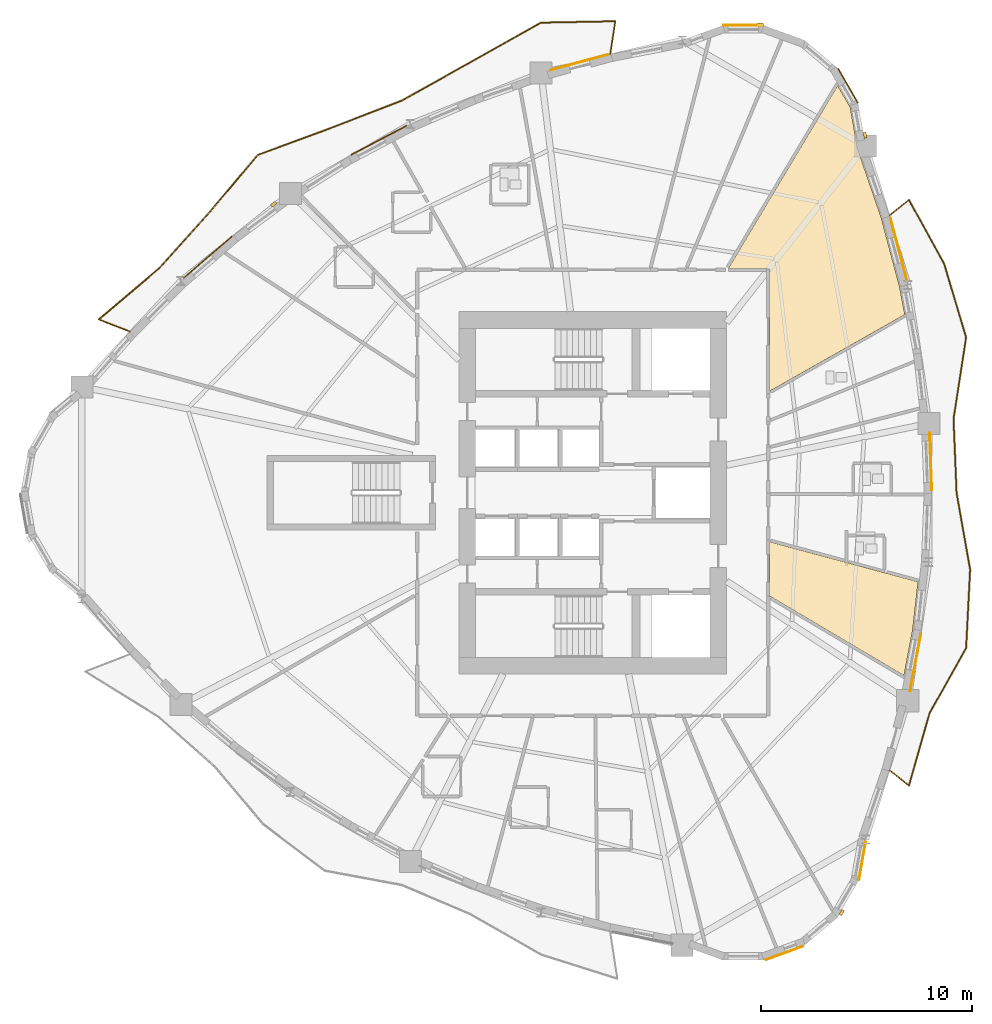
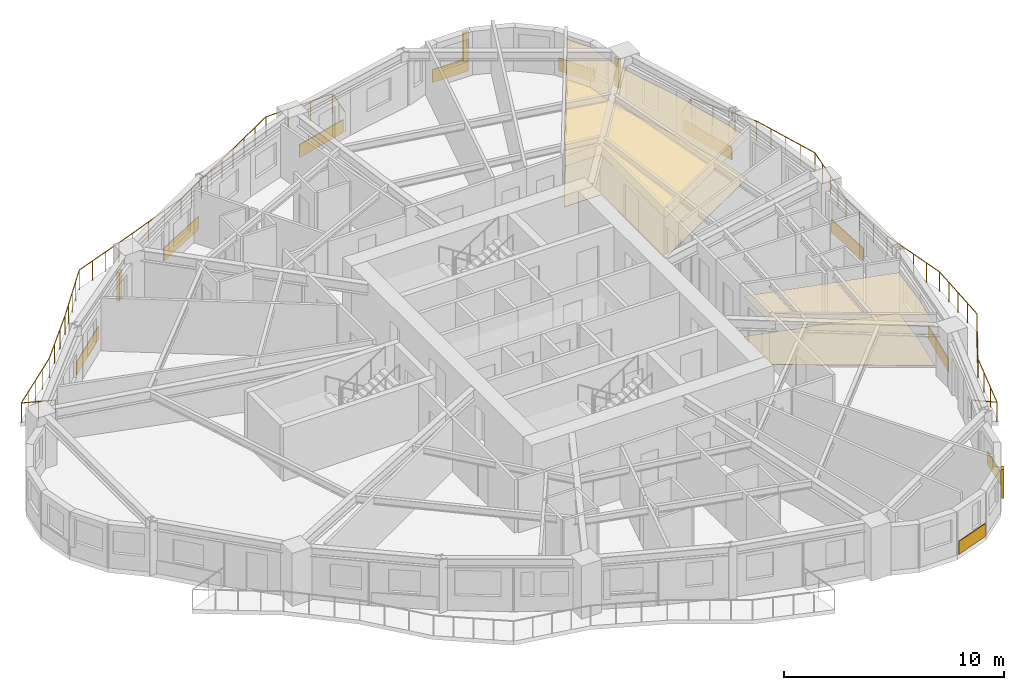
# One storey, part 12 of 13: 14 coverings, 4 shading devices, 2 railings.
"""IFC4 building model written with IfcOpenShell, lengths in metres."""

from ifc_helpers import new_model, si_unit, direction, frame, origin, origin_2d, place, context, subcontext, project, spatial, polyline, rectangle, circle, outline, extrude, source, transform, mapped, material, layer, layer_set, type_object, element, save


model = new_model("IFC4")

# Units and contexts
model_context = context("Model", 3, precision=1e-05, world=origin(), true_north=direction((0.0, 1.0)))
body_context = subcontext(model_context, "Body", "Model", "MODEL_VIEW")
ifc_project = project(units=[si_unit("LENGTHUNIT", "METRE"), si_unit("AREAUNIT", "SQUARE_METRE"), si_unit("VOLUMEUNIT", "CUBIC_METRE"), si_unit("PLANEANGLEUNIT", "RADIAN"), si_unit("MASSUNIT", "GRAM", prefix="KILO")], contexts=[model_context])

# Site, building, storey
site_placement = place(None, origin())
site = spatial("IfcSite", under=ifc_project, at=site_placement, CompositionType="ELEMENT")
building_placement = place(site_placement, origin())
building = spatial("IfcBuilding", under=site, at=building_placement, Name="Qafzar Sky-Pleat Residences", CompositionType="ELEMENT")
storey_placement = place(building_placement, frame((0.0, 0.0, 46.199951171875)))
storey = spatial("IfcBuildingStorey", under=building, at=storey_placement, Name="L13", CompositionType="ELEMENT", Elevation=46.199951171875)

# Coverings
ifc_material_1 = material(Name="Perforated acoustic gypsum board ceiling")
ifc_layer_1 = layer(ifc_material_1, 0.02001953125)
ifc_layer_set_1 = layer_set([ifc_layer_1], Name="Perforated acoustic gypsum board ceiling")
covering_type_1 = type_object("IfcCoveringType", Name="COV-CEIL-ACOUSTIC", PredefinedType="CEILING", material=ifc_layer_set_1)
covering_1_placement = place(storey_placement, frame((0.0, 0.0, 2.239990234375)))
element("IfcCovering", 1, at=covering_1_placement, inside=storey, type_object=covering_type_1, Name="L13 Communal Kitchen Acoustic Ceiling", PredefinedType="CEILING", context=body_context, shape_type="SweptSolid", body=[
    extrude(outline(polyline([(45.517578125, 19.485107421875), (45.10888671875, 17.3330078125), (38.739990234375, 21.10302734375), (38.739990234375, 23.67626953125), (45.779052734375, 21.77880859375), (45.517578125, 19.485107421875)])), origin(), (0.0, 0.0, 1.0), 0.02001953125),
])
covering_2_placement = place(storey_placement, frame((0.0, 0.0, 2.239990234375)))
element("IfcCovering", 2, at=covering_2_placement, inside=storey, type_object=covering_type_1, Name="L13 Co-Living Lounge Acoustic Ceiling", PredefinedType="CEILING", context=body_context, shape_type="SweptSolid", body=[
    extrude(outline(polyline([(42.55859375, 44.281982421875), (42.901611328125, 42.337158203125), (44.031494140625, 39.033447265625), (44.8984375, 35.7734375), (45.14990234375, 34.449951171875), (38.739990234375, 30.820068359375), (38.739990234375, 36.639892578125), (36.781982421875, 36.639892578125), (41.965576171875, 45.30908203125), (42.55859375, 44.281982421875)])), origin(), (0.0, 0.0, 1.0), 0.02001953125),
])
ifc_material_2 = material(Name="Honed porcelain and Riyadh stone tile flooring", Category="masonry")
ifc_layer_2 = layer(ifc_material_2, 0.02001953125)
ifc_layer_set_2 = layer_set([ifc_layer_2], Name="Honed porcelain and Riyadh stone tile flooring")
covering_type_2 = type_object("IfcCoveringType", Name="COV-FLR-PORCELAIN", PredefinedType="FLOORING", material=ifc_layer_set_2)
covering_3_placement = place(storey_placement, origin())
element("IfcCovering", 3, at=covering_3_placement, inside=storey, type_object=covering_type_2, Name="L13 Communal Kitchen Honed Stone Flooring", PredefinedType="FLOORING", context=body_context, shape_type="SweptSolid", body=[
    extrude(outline(polyline([(45.517578125, 19.485107421875), (45.10888671875, 17.3330078125), (38.739990234375, 21.10302734375), (38.739990234375, 23.67626953125), (45.779052734375, 21.77880859375), (45.517578125, 19.485107421875)])), origin(), (0.0, 0.0, 1.0), 0.02001953125),
])
covering_4_placement = place(storey_placement, origin())
element("IfcCovering", 4, at=covering_4_placement, inside=storey, type_object=covering_type_2, Name="L13 Co-Living Lounge Honed Stone Flooring", PredefinedType="FLOORING", context=body_context, shape_type="SweptSolid", body=[
    extrude(outline(polyline([(42.55859375, 44.281982421875), (42.901611328125, 42.337158203125), (44.031494140625, 39.033447265625), (44.8984375, 35.7734375), (45.14990234375, 34.449951171875), (38.739990234375, 30.820068359375), (38.739990234375, 36.639892578125), (36.781982421875, 36.639892578125), (41.965576171875, 45.30908203125), (42.55859375, 44.281982421875)])), origin(), (0.0, 0.0, 1.0), 0.02001953125),
])

# Shading devices
ifc_material_3 = material(Name="Honed Riyadh limestone solar fin", Category="masonry")
ifc_layer_3 = layer(ifc_material_3, 0.139892578125)
ifc_layer_set_3 = layer_set([ifc_layer_3], Name="Honed Riyadh limestone solar fin")
shading_device_type = type_object("IfcShadingDeviceType", Name="SHD-FIN-STONE", PredefinedType="SHUTTER", material=ifc_layer_set_3)
shared_shape_1 = source(origin(), body_context, "Body", "SweptSolid", [
    extrude(rectangle(XDim=0.139892578125, YDim=0.280029296875, at=origin_2d()), origin(), (0.0, 0.0, 1.0), 1.60009765625),
])
for number, where, z_axis, x_axis, name in (
    (5, (42.15576171875, 6.090576171875, 0.60009765625), (0.0, 0.0, 1.0), (0.86603181203, -0.499988900429, 0.0), "L13 Limestone Solar Fin 21"),
    (6, (43.264404296875, 42.956787109375, 0.60009765625), (0.0, 0.0, 1.0), (0.984806040716, 0.173657888303, 0.0), "L13 Limestone Solar Fin 33"),
    (7, (38.294921875, 48.214111328125, 0.60009765625), (0.0, 0.0, 1.0), (0.0, 1.0, 0.0), "L13 Limestone Solar Fin 37"),
    (8, (15.216064453125, 39.688232421875, 0.60009765625), (0.0, 0.0, 1.0), (-0.594881281603, 0.80381357341, 0.0), "L13 Limestone Solar Fin 45"),
):
    element("IfcShadingDevice", number, at=place(storey_placement, frame(where, z_axis=z_axis, x_axis=x_axis)), inside=storey, type_object=shading_device_type, Name=name, PredefinedType="SHUTTER", context=body_context, shape_type="MappedRepresentation", body=[
        mapped(shared_shape_1, transform((0.0, 0.0, 0.0), x_axis=(1.0, 0.0, 0.0), y_axis=(0.0, 1.0, 0.0), z_axis=(0.0, 0.0, 1.0), scale=1.0)),
    ])

# Coverings
ifc_material_4 = material(Name="Honed Riyadh Tuwaiq limestone cladding", Category="masonry")
ifc_layer_4 = layer(ifc_material_4, 0.044921875)
ifc_layer_set_4 = layer_set([ifc_layer_4], Name="Honed Riyadh Tuwaiq limestone cladding")
covering_type_3 = type_object("IfcCoveringType", Name="COV-CLAD-STONE", PredefinedType="CLADDING", material=ifc_layer_set_4)
shared_shape_2 = source(origin(), body_context, "Body", "SweptSolid", [
    extrude(rectangle(XDim=1.88134765625, YDim=0.044921875, at=origin_2d()), origin(), (0.0, 0.0, 1.0), 0.719970703125),
])
covering_5_placement = place(storey_placement, frame((37.489990234375, 48.1708984375, 0.02001953125), z_axis=(0.0, 0.0, 1.0), x_axis=(-1.0, 0.0, 0.0)))
element("IfcCovering", 9, at=covering_5_placement, inside=storey, type_object=covering_type_3, Name="L13 Riyadh Limestone Spandrel Cladding 37", PredefinedType="CLADDING", context=body_context, shape_type="MappedRepresentation", body=[
    mapped(shared_shape_2, transform((0.0, 0.0, 0.0), x_axis=(1.0, 0.0, 0.0), y_axis=(0.0, 1.0, 0.0), z_axis=(0.0, 0.0, 1.0), scale=1.0)),
])
shared_shape_3 = source(origin(), body_context, "Body", "SweptSolid", [
    extrude(rectangle(XDim=1.8291015625, YDim=0.044921875, at=origin_2d()), origin(), (0.0, 0.0, 1.0), 0.719970703125),
])
covering_6_placement = place(storey_placement, frame((43.1318359375, 8.53857421875, 0.02001953125), z_axis=(0.0, 0.0, 1.0), x_axis=(0.17364778674, 0.984807821943, 0.0)))
element("IfcCovering", 10, at=covering_6_placement, inside=storey, type_object=covering_type_3, Name="L13 Riyadh Limestone Spandrel Cladding 22", PredefinedType="CLADDING", context=body_context, shape_type="MappedRepresentation", body=[
    mapped(shared_shape_3, transform((0.0, 0.0, 0.0), x_axis=(1.0, 0.0, 0.0), y_axis=(0.0, 1.0, 0.0), z_axis=(0.0, 0.0, 1.0), scale=1.0)),
])
shared_shape_4 = source(origin(), body_context, "Body", "SweptSolid", [
    extrude(rectangle(XDim=1.881103515625, YDim=0.044921875, at=origin_2d()), origin(), (0.0, 0.0, 1.0), 0.719970703125),
])
for number, where, z_axis, x_axis, name in (
    (11, (39.451171875, 4.1748046875, 0.02001953125), (0.0, 0.0, 1.0), (0.939715179222, 0.34195815817, 0.0), "L13 Riyadh Limestone Spandrel Cladding 19"),
    (12, (42.455810546875, 45.30419921875, 0.02001953125), (0.0, 0.0, 1.0), (-0.499993018474, 0.866029434533, 0.0), "L13 Riyadh Limestone Spandrel Cladding 34"),
):
    element("IfcCovering", number, at=place(storey_placement, frame(where, z_axis=z_axis, x_axis=x_axis)), inside=storey, type_object=covering_type_3, Name=name, PredefinedType="CLADDING", context=body_context, shape_type="MappedRepresentation", body=[
        mapped(shared_shape_4, transform((0.0, 0.0, 0.0), x_axis=(1.0, 0.0, 0.0), y_axis=(0.0, 1.0, 0.0), z_axis=(0.0, 0.0, 1.0), scale=1.0)),
    ])

# Railings
ifc_material_5 = material(Name="Laminated glass and bronze steel balustrade", Category="steel")
railing_type = type_object("IfcRailingType", Name="RAIL-BAL-1100", PredefinedType="BALUSTRADE", material=ifc_material_5)
shared_shape_5 = source(origin(), body_context, "Body", "SweptSolid", [
    extrude(circle(Radius=0.02392578125, at=origin_2d()), frame((0.0, 0.0, 1.076171875), z_axis=(0.780444051674, -0.62522562504, 0.0), x_axis=(0.62522562504, 0.780444051674, 0.0)), (0.0, 0.0, 1.0), 1.177978515625),
    extrude(circle(Radius=0.02392578125, at=origin_2d()), frame((0.91943359375, -0.736572265625, 1.076171875), z_axis=(0.273711786975, 0.961811757919, 0.0), x_axis=(-0.961811757919, 0.273711786975, 0.0)), (0.0, 0.0, 1.0), 3.57861328125),
    extrude(circle(Radius=0.02392578125, at=origin_2d()), frame((1.89892578125, 2.705322265625, 1.076171875), z_axis=(0.489282926907, 0.872125115702, 0.0), x_axis=(-0.872125115702, 0.489282926907, 0.0)), (0.0, 0.0, 1.0), 3.543701171875),
    extrude(circle(Radius=0.02392578125, at=origin_2d()), frame((3.6328125, 5.7958984375, 1.076171875), z_axis=(0.051032139844, 0.998697011462, 0.0), x_axis=(-0.998697011462, 0.051032139844, 0.0)), (0.0, 0.0, 1.0), 3.726806640625),
    extrude(circle(Radius=0.02392578125, at=origin_2d()), frame((3.822998046875, 9.517822265625, 1.076171875), z_axis=(-0.174128247366, 0.984722983112, 0.0), x_axis=(-0.984722983112, -0.174128247366, 0.0)), (0.0, 0.0, 1.0), 3.69580078125),
    extrude(circle(Radius=0.02392578125, at=origin_2d()), frame((3.179443359375, 13.1572265625, 1.076171875), z_axis=(-0.041073628986, 0.999156122436, 0.0), x_axis=(-0.999156122436, -0.041073628986, 0.0)), (0.0, 0.0, 1.0), 3.5009765625),
    extrude(circle(Radius=0.02392578125, at=origin_2d()), frame((3.03564453125, 16.6552734375, 1.076171875), z_axis=(0.152761100583, 0.988263146206, 0.0), x_axis=(-0.988263146206, 0.152761100583, 0.0)), (0.0, 0.0, 1.0), 3.9091796875),
    extrude(circle(Radius=0.02392578125, at=origin_2d()), frame((3.6328125, 20.5185546875, 1.076171875), z_axis=(-0.285568374009, 0.95835833787, 0.0), x_axis=(-0.95835833787, -0.285568374009, 0.0)), (0.0, 0.0, 1.0), 3.638671875),
    extrude(circle(Radius=0.02392578125, at=origin_2d()), frame((2.59375, 24.005615234375, 1.076171875), z_axis=(-0.481773119733, 0.876295989436, 0.0), x_axis=(-0.876295989436, -0.481773119733, 0.0)), (0.0, 0.0, 1.0), 3.475341796875),
    extrude(circle(Radius=0.02392578125, at=origin_2d()), frame((0.91943359375, 27.051025390625, 1.076171875), z_axis=(-0.780444051674, -0.62522562504, 0.0), x_axis=(0.62522562504, -0.780444051674, 0.0)), (0.0, 0.0, 1.0), 1.177978515625),
    extrude(circle(Radius=0.02099609375, at=origin_2d()), origin(), (0.0, 0.0, 1.0), 1.052001953125),
    extrude(circle(Radius=0.02099609375, at=origin_2d()), frame((0.91943359375, -0.736572265625, 0.0)), (0.0, 0.0, 1.0), 1.052001953125),
    extrude(circle(Radius=0.02099609375, at=origin_2d()), frame((1.245849609375, 0.41064453125, 0.0)), (0.0, 0.0, 1.0), 1.052001953125),
    extrude(circle(Radius=0.02099609375, at=origin_2d()), frame((1.572509765625, 1.55810546875, 0.0)), (0.0, 0.0, 1.0), 1.052001953125),
    extrude(circle(Radius=0.02099609375, at=origin_2d()), frame((1.89892578125, 2.705322265625, 0.0)), (0.0, 0.0, 1.0), 1.052001953125),
    extrude(circle(Radius=0.02099609375, at=origin_2d()), frame((2.476806640625, 3.735595703125, 0.0)), (0.0, 0.0, 1.0), 1.052001953125),
    extrude(circle(Radius=0.02099609375, at=origin_2d()), frame((3.054931640625, 4.765625, 0.0)), (0.0, 0.0, 1.0), 1.052001953125),
    extrude(circle(Radius=0.02099609375, at=origin_2d()), frame((3.6328125, 5.7958984375, 0.0)), (0.0, 0.0, 1.0), 1.052001953125),
    extrude(circle(Radius=0.02099609375, at=origin_2d()), frame((3.680419921875, 6.726318359375, 0.0)), (0.0, 0.0, 1.0), 1.052001953125),
    extrude(circle(Radius=0.02099609375, at=origin_2d()), frame((3.72802734375, 7.65673828125, 0.0)), (0.0, 0.0, 1.0), 1.052001953125),
    extrude(circle(Radius=0.02099609375, at=origin_2d()), frame((3.775390625, 8.58740234375, 0.0)), (0.0, 0.0, 1.0), 1.052001953125),
    extrude(circle(Radius=0.02099609375, at=origin_2d()), frame((3.822998046875, 9.517822265625, 0.0)), (0.0, 0.0, 1.0), 1.052001953125),
    extrude(circle(Radius=0.02099609375, at=origin_2d()), frame((3.662109375, 10.427734375, 0.0)), (0.0, 0.0, 1.0), 1.052001953125),
    extrude(circle(Radius=0.02099609375, at=origin_2d()), frame((3.501220703125, 11.33740234375, 0.0)), (0.0, 0.0, 1.0), 1.052001953125),
    extrude(circle(Radius=0.02099609375, at=origin_2d()), frame((3.34033203125, 12.247314453125, 0.0)), (0.0, 0.0, 1.0), 1.052001953125),
    extrude(circle(Radius=0.02099609375, at=origin_2d()), frame((3.179443359375, 13.1572265625, 0.0)), (0.0, 0.0, 1.0), 1.052001953125),
    extrude(circle(Radius=0.02099609375, at=origin_2d()), frame((3.131591796875, 14.3232421875, 0.0)), (0.0, 0.0, 1.0), 1.052001953125),
    extrude(circle(Radius=0.02099609375, at=origin_2d()), frame((3.08349609375, 15.4892578125, 0.0)), (0.0, 0.0, 1.0), 1.052001953125),
    extrude(circle(Radius=0.02099609375, at=origin_2d()), frame((3.03564453125, 16.6552734375, 0.0)), (0.0, 0.0, 1.0), 1.052001953125),
    extrude(circle(Radius=0.02099609375, at=origin_2d()), frame((3.18505859375, 17.62109375, 0.0)), (0.0, 0.0, 1.0), 1.052001953125),
    extrude(circle(Radius=0.02099609375, at=origin_2d()), frame((3.334228515625, 18.5869140625, 0.0)), (0.0, 0.0, 1.0), 1.052001953125),
    extrude(circle(Radius=0.02099609375, at=origin_2d()), frame((3.4833984375, 19.552734375, 0.0)), (0.0, 0.0, 1.0), 1.052001953125),
    extrude(circle(Radius=0.02099609375, at=origin_2d()), frame((3.6328125, 20.5185546875, 0.0)), (0.0, 0.0, 1.0), 1.052001953125),
    extrude(circle(Radius=0.02099609375, at=origin_2d()), frame((3.373046875, 21.390380859375, 0.0)), (0.0, 0.0, 1.0), 1.052001953125),
    extrude(circle(Radius=0.02099609375, at=origin_2d()), frame((3.11328125, 22.26220703125, 0.0)), (0.0, 0.0, 1.0), 1.052001953125),
    extrude(circle(Radius=0.02099609375, at=origin_2d()), frame((2.853515625, 23.1337890625, 0.0)), (0.0, 0.0, 1.0), 1.052001953125),
    extrude(circle(Radius=0.02099609375, at=origin_2d()), frame((2.59375, 24.005615234375, 0.0)), (0.0, 0.0, 1.0), 1.052001953125),
    extrude(circle(Radius=0.02099609375, at=origin_2d()), frame((2.03564453125, 25.020751953125, 0.0)), (0.0, 0.0, 1.0), 1.052001953125),
    extrude(circle(Radius=0.02099609375, at=origin_2d()), frame((1.4775390625, 26.035888671875, 0.0)), (0.0, 0.0, 1.0), 1.052001953125),
    extrude(circle(Radius=0.02099609375, at=origin_2d()), frame((0.91943359375, 27.051025390625, 0.0)), (0.0, 0.0, 1.0), 1.052001953125),
    extrude(circle(Radius=0.02099609375, at=origin_2d()), frame((0.0, 26.314453125, 0.0)), (0.0, 0.0, 1.0), 1.052001953125),
])
railing_1_placement = place(storey_placement, frame((44.423583984375, 12.8427734375, 0.0)))
element("IfcRailing", 13, at=railing_1_placement, inside=storey, type_object=railing_type, Name="L13 Pleated Balcony 1 Balustrade", PredefinedType="BALUSTRADE", context=body_context, shape_type="MappedRepresentation", body=[
    mapped(shared_shape_5, transform((0.0, 0.0, 0.0), x_axis=(1.0, 0.0, 0.0), y_axis=(0.0, 1.0, 0.0), z_axis=(0.0, 0.0, 1.0), scale=1.0)),
])
shared_shape_6 = source(origin(), body_context, "Body", "SweptSolid", [
    extrude(circle(Radius=0.02392578125, at=origin_2d()), frame((0.0, 0.0, 1.076171875), z_axis=(0.151161889621, 0.988509020255, 0.0), x_axis=(-0.988509020255, 0.151161889621, 0.0)), (0.0, 0.0, 1.0), 1.577880859375),
    extrude(circle(Radius=0.02392578125, at=origin_2d()), frame((0.238525390625, 1.559814453125, 1.076171875), z_axis=(-0.999814603854, -0.019255075204, 0.0), x_axis=(0.019255075204, -0.999814603854, 0.0)), (0.0, 0.0, 1.0), 3.53759765625),
    extrude(circle(Radius=0.02392578125, at=origin_2d()), frame((-3.29833984375, 1.49169921875, 1.076171875), z_axis=(-0.871221394465, -0.490890295103, 0.0), x_axis=(0.490890295103, -0.871221394465, 0.0)), (0.0, 0.0, 1.0), 3.924072265625),
    extrude(circle(Radius=0.02392578125, at=origin_2d()), frame((-6.717041015625, -0.4345703125, 1.076171875), z_axis=(-0.873310982182, -0.487163143515, 0.0), x_axis=(0.487163143515, -0.873310982182, 0.0)), (0.0, 0.0, 1.0), 3.625244140625),
    extrude(circle(Radius=0.02392578125, at=origin_2d()), frame((-9.883056640625, -2.20068359375, 1.076171875), z_axis=(-0.932520155536, -0.361117930211, 0.0), x_axis=(0.361117930211, -0.932520155536, 0.0)), (0.0, 0.0, 1.0), 3.539794921875),
    extrude(circle(Radius=0.02392578125, at=origin_2d()), frame((-13.18408203125, -3.47900390625, 1.076171875), z_axis=(-0.93819466472, -0.346108033843, 0.0), x_axis=(0.346108033843, -0.93819466472, 0.0)), (0.0, 0.0, 1.0), 3.7646484375),
    extrude(circle(Radius=0.02392578125, at=origin_2d()), frame((-16.716064453125, -4.781982421875, 1.076171875), z_axis=(-0.64428490809, -0.764785562892, 0.0), x_axis=(0.764785562892, -0.64428490809, 0.0)), (0.0, 0.0, 1.0), 3.628662109375),
    extrude(circle(Radius=0.02392578125, at=origin_2d()), frame((-19.053955078125, -7.55712890625, 1.076171875), z_axis=(-0.668745122313, -0.743491735921, 0.0), x_axis=(0.743491735921, -0.668745122313, 0.0)), (0.0, 0.0, 1.0), 3.50146484375),
    extrude(circle(Radius=0.02392578125, at=origin_2d()), frame((-21.3955078125, -10.160400390625, 1.076171875), z_axis=(-0.763334446989, -0.646003500022, 0.0), x_axis=(0.646003500022, -0.763334446989, 0.0)), (0.0, 0.0, 1.0), 3.751708984375),
    extrude(circle(Radius=0.02392578125, at=origin_2d()), frame((-24.25927734375, -12.583984375, 1.076171875), z_axis=(0.931684927862, -0.363267388014, 0.0), x_axis=(0.363267388014, 0.931684927862, 0.0)), (0.0, 0.0, 1.0), 1.578125),
    extrude(circle(Radius=0.02099609375, at=origin_2d()), origin(), (0.0, 0.0, 1.0), 1.052001953125),
    extrude(circle(Radius=0.02099609375, at=origin_2d()), frame((0.119140625, 0.77978515625, 0.0)), (0.0, 0.0, 1.0), 1.052001953125),
    extrude(circle(Radius=0.02099609375, at=origin_2d()), frame((0.238525390625, 1.559814453125, 0.0)), (0.0, 0.0, 1.0), 1.052001953125),
    extrude(circle(Radius=0.02099609375, at=origin_2d()), frame((-0.9404296875, 1.537109375, 0.0)), (0.0, 0.0, 1.0), 1.052001953125),
    extrude(circle(Radius=0.02099609375, at=origin_2d()), frame((-2.119384765625, 1.514404296875, 0.0)), (0.0, 0.0, 1.0), 1.052001953125),
    extrude(circle(Radius=0.02099609375, at=origin_2d()), frame((-3.29833984375, 1.49169921875, 0.0)), (0.0, 0.0, 1.0), 1.052001953125),
    extrude(circle(Radius=0.02099609375, at=origin_2d()), frame((-4.153076171875, 1.01025390625, 0.0)), (0.0, 0.0, 1.0), 1.052001953125),
    extrude(circle(Radius=0.02099609375, at=origin_2d()), frame((-5.0078125, 0.528564453125, 0.0)), (0.0, 0.0, 1.0), 1.052001953125),
    extrude(circle(Radius=0.02099609375, at=origin_2d()), frame((-5.8623046875, 0.046875, 0.0)), (0.0, 0.0, 1.0), 1.052001953125),
    extrude(circle(Radius=0.02099609375, at=origin_2d()), frame((-6.717041015625, -0.4345703125, 0.0)), (0.0, 0.0, 1.0), 1.052001953125),
    extrude(circle(Radius=0.02099609375, at=origin_2d()), frame((-7.508544921875, -0.8759765625, 0.0)), (0.0, 0.0, 1.0), 1.052001953125),
    extrude(circle(Radius=0.02099609375, at=origin_2d()), frame((-8.300048828125, -1.317626953125, 0.0)), (0.0, 0.0, 1.0), 1.052001953125),
    extrude(circle(Radius=0.02099609375, at=origin_2d()), frame((-9.091552734375, -1.75927734375, 0.0)), (0.0, 0.0, 1.0), 1.052001953125),
    extrude(circle(Radius=0.02099609375, at=origin_2d()), frame((-9.883056640625, -2.20068359375, 0.0)), (0.0, 0.0, 1.0), 1.052001953125),
    extrude(circle(Radius=0.02099609375, at=origin_2d()), frame((-10.9833984375, -2.626708984375, 0.0)), (0.0, 0.0, 1.0), 1.052001953125),
    extrude(circle(Radius=0.02099609375, at=origin_2d()), frame((-12.083740234375, -3.052978515625, 0.0)), (0.0, 0.0, 1.0), 1.052001953125),
    extrude(circle(Radius=0.02099609375, at=origin_2d()), frame((-13.18408203125, -3.47900390625, 0.0)), (0.0, 0.0, 1.0), 1.052001953125),
    extrude(circle(Radius=0.02099609375, at=origin_2d()), frame((-14.067138671875, -3.8046875, 0.0)), (0.0, 0.0, 1.0), 1.052001953125),
    extrude(circle(Radius=0.02099609375, at=origin_2d()), frame((-14.9501953125, -4.13037109375, 0.0)), (0.0, 0.0, 1.0), 1.052001953125),
    extrude(circle(Radius=0.02099609375, at=origin_2d()), frame((-15.8330078125, -4.456298828125, 0.0)), (0.0, 0.0, 1.0), 1.052001953125),
    extrude(circle(Radius=0.02099609375, at=origin_2d()), frame((-16.716064453125, -4.781982421875, 0.0)), (0.0, 0.0, 1.0), 1.052001953125),
    extrude(circle(Radius=0.02099609375, at=origin_2d()), frame((-17.300537109375, -5.475830078125, 0.0)), (0.0, 0.0, 1.0), 1.052001953125),
    extrude(circle(Radius=0.02099609375, at=origin_2d()), frame((-17.885009765625, -6.16943359375, 0.0)), (0.0, 0.0, 1.0), 1.052001953125),
    extrude(circle(Radius=0.02099609375, at=origin_2d()), frame((-18.469482421875, -6.86328125, 0.0)), (0.0, 0.0, 1.0), 1.052001953125),
    extrude(circle(Radius=0.02099609375, at=origin_2d()), frame((-19.053955078125, -7.55712890625, 0.0)), (0.0, 0.0, 1.0), 1.052001953125),
    extrude(circle(Radius=0.02099609375, at=origin_2d()), frame((-19.83447265625, -8.4248046875, 0.0)), (0.0, 0.0, 1.0), 1.052001953125),
    extrude(circle(Radius=0.02099609375, at=origin_2d()), frame((-20.614990234375, -9.292724609375, 0.0)), (0.0, 0.0, 1.0), 1.052001953125),
    extrude(circle(Radius=0.02099609375, at=origin_2d()), frame((-21.3955078125, -10.160400390625, 0.0)), (0.0, 0.0, 1.0), 1.052001953125),
    extrude(circle(Radius=0.02099609375, at=origin_2d()), frame((-22.111328125, -10.766357421875, 0.0)), (0.0, 0.0, 1.0), 1.052001953125),
    extrude(circle(Radius=0.02099609375, at=origin_2d()), frame((-22.827392578125, -11.3720703125, 0.0)), (0.0, 0.0, 1.0), 1.052001953125),
    extrude(circle(Radius=0.02099609375, at=origin_2d()), frame((-23.54345703125, -11.97802734375, 0.0)), (0.0, 0.0, 1.0), 1.052001953125),
    extrude(circle(Radius=0.02099609375, at=origin_2d()), frame((-24.25927734375, -12.583984375, 0.0)), (0.0, 0.0, 1.0), 1.052001953125),
    extrude(circle(Radius=0.02099609375, at=origin_2d()), frame((-23.524169921875, -12.87060546875, 0.0)), (0.0, 0.0, 1.0), 1.052001953125),
    extrude(circle(Radius=0.02099609375, at=origin_2d()), frame((-22.7890625, -13.1572265625, 0.0)), (0.0, 0.0, 1.0), 1.052001953125),
])
railing_2_placement = place(storey_placement, frame((31.1826171875, 46.802001953125, 0.0)))
element("IfcRailing", 14, at=railing_2_placement, inside=storey, type_object=railing_type, Name="L13 Pleated Balcony 2 Balustrade", PredefinedType="BALUSTRADE", context=body_context, shape_type="MappedRepresentation", body=[
    mapped(shared_shape_6, transform((0.0, 0.0, 0.0), x_axis=(1.0, 0.0, 0.0), y_axis=(0.0, 1.0, 0.0), z_axis=(0.0, 0.0, 1.0), scale=1.0)),
])

# Coverings
shared_shape_7 = source(origin(), body_context, "Body", "SweptSolid", [
    extrude(rectangle(XDim=2.77587890625, YDim=0.044921875, at=origin_2d()), origin(), (0.0, 0.0, 1.0), 0.719970703125),
])
covering_7_placement = place(storey_placement, frame((45.654296875, 17.943359375, 0.02001953125), z_axis=(0.0, 0.0, 1.0), x_axis=(0.186660645817, 0.982424451703, 0.0)))
element("IfcCovering", 15, at=covering_7_placement, inside=storey, type_object=covering_type_3, Name="L13 Riyadh Limestone Spandrel Cladding 25", PredefinedType="CLADDING", context=body_context, shape_type="MappedRepresentation", body=[
    mapped(shared_shape_7, transform((0.0, 0.0, 0.0), x_axis=(1.0, 0.0, 0.0), y_axis=(0.0, 1.0, 0.0), z_axis=(0.0, 0.0, 1.0), scale=1.0)),
])
shared_shape_8 = source(origin(), body_context, "Body", "SweptSolid", [
    extrude(rectangle(XDim=2.72509765625, YDim=0.044921875, at=origin_2d()), origin(), (0.0, 0.0, 1.0), 0.719970703125),
])
covering_8_placement = place(storey_placement, frame((46.37890625, 27.4755859375, 0.02001953125), z_axis=(0.0, 0.0, 1.0), x_axis=(-0.038014543919, 0.999277185995, 0.0)))
element("IfcCovering", 16, at=covering_8_placement, inside=storey, type_object=covering_type_3, Name="L13 Riyadh Limestone Spandrel Cladding 28", PredefinedType="CLADDING", context=body_context, shape_type="MappedRepresentation", body=[
    mapped(shared_shape_8, transform((0.0, 0.0, 0.0), x_axis=(1.0, 0.0, 0.0), y_axis=(0.0, 1.0, 0.0), z_axis=(0.0, 0.0, 1.0), scale=1.0)),
])
shared_shape_9 = source(origin(), body_context, "Body", "SweptSolid", [
    extrude(rectangle(XDim=3.077880859375, YDim=0.044921875, at=origin_2d()), origin(), (0.0, 0.0, 1.0), 0.719970703125),
])
covering_9_placement = place(storey_placement, frame((44.865234375, 37.53955078125, 0.02001953125), z_axis=(0.0, 0.0, 1.0), x_axis=(-0.257067445738, 0.966393464559, 0.0)))
element("IfcCovering", 17, at=covering_9_placement, inside=storey, type_object=covering_type_3, Name="L13 Riyadh Limestone Spandrel Cladding 31", PredefinedType="CLADDING", context=body_context, shape_type="MappedRepresentation", body=[
    mapped(shared_shape_9, transform((0.0, 0.0, 0.0), x_axis=(1.0, 0.0, 0.0), y_axis=(0.0, 1.0, 0.0), z_axis=(0.0, 0.0, 1.0), scale=1.0)),
])
shared_shape_10 = source(origin(), body_context, "Body", "SweptSolid", [
    extrude(rectangle(XDim=2.82568359375, YDim=0.044921875, at=origin_2d()), origin(), (0.0, 0.0, 1.0), 0.719970703125),
])
covering_10_placement = place(storey_placement, frame((29.696044921875, 46.412109375, 0.02001953125), z_axis=(0.0, 0.0, 1.0), x_axis=(-0.965457209918, -0.260561654542, 0.0)))
element("IfcCovering", 18, at=covering_10_placement, inside=storey, type_object=covering_type_3, Name="L13 Riyadh Limestone Spandrel Cladding 40", PredefinedType="CLADDING", context=body_context, shape_type="MappedRepresentation", body=[
    mapped(shared_shape_10, transform((0.0, 0.0, 0.0), x_axis=(1.0, 0.0, 0.0), y_axis=(0.0, 1.0, 0.0), z_axis=(0.0, 0.0, 1.0), scale=1.0)),
])
shared_shape_11 = source(origin(), body_context, "Body", "SweptSolid", [
    extrude(rectangle(XDim=2.97705078125, YDim=0.044921875, at=origin_2d()), origin(), (0.0, 0.0, 1.0), 0.719970703125),
])
covering_11_placement = place(storey_placement, frame((20.21240234375, 42.719970703125, 0.02001953125), z_axis=(0.0, 0.0, 1.0), x_axis=(-0.884385792818, -0.466756649082, 0.0)))
element("IfcCovering", 19, at=covering_11_placement, inside=storey, type_object=covering_type_3, Name="L13 Riyadh Limestone Spandrel Cladding 43", PredefinedType="CLADDING", context=body_context, shape_type="MappedRepresentation", body=[
    mapped(shared_shape_11, transform((0.0, 0.0, 0.0), x_axis=(1.0, 0.0, 0.0), y_axis=(0.0, 1.0, 0.0), z_axis=(0.0, 0.0, 1.0), scale=1.0)),
])
shared_shape_12 = source(origin(), body_context, "Body", "SweptSolid", [
    extrude(rectangle(XDim=3.02783203125, YDim=0.044921875, at=origin_2d()), origin(), (0.0, 0.0, 1.0), 0.719970703125),
])
covering_12_placement = place(storey_placement, frame((12.089599609375, 37.169189453125, 0.02001953125), z_axis=(0.0, 0.0, 1.0), x_axis=(-0.757484979043, -0.652852591727, 0.0)))
element("IfcCovering", 20, at=covering_12_placement, inside=storey, type_object=covering_type_3, Name="L13 Riyadh Limestone Spandrel Cladding 46", PredefinedType="CLADDING", context=body_context, shape_type="MappedRepresentation", body=[
    mapped(shared_shape_12, transform((0.0, 0.0, 0.0), x_axis=(1.0, 0.0, 0.0), y_axis=(0.0, 1.0, 0.0), z_axis=(0.0, 0.0, 1.0), scale=1.0)),
])

save(model, "model.ifc")
